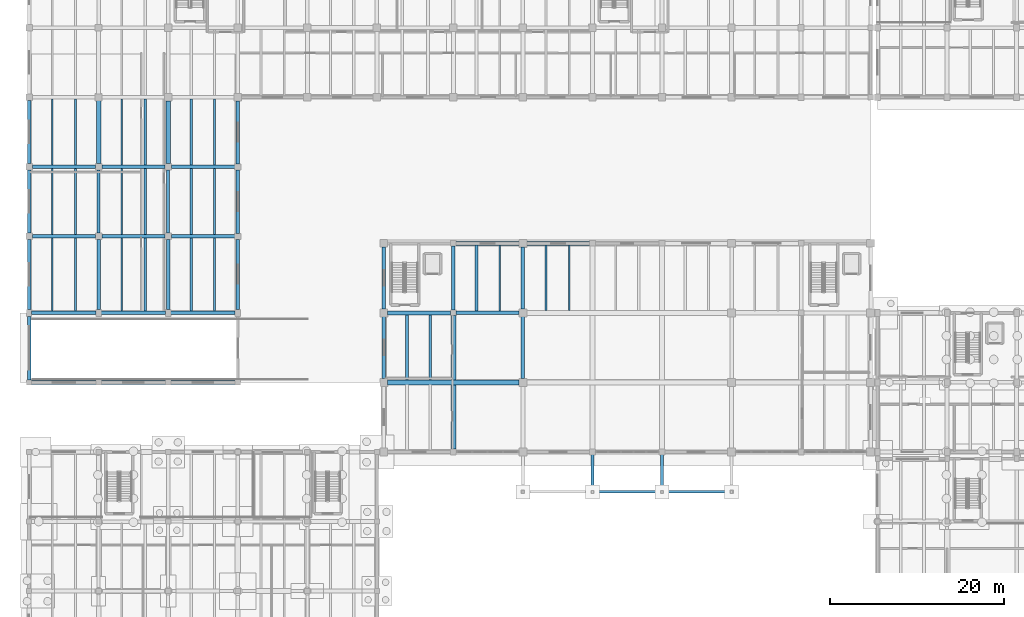
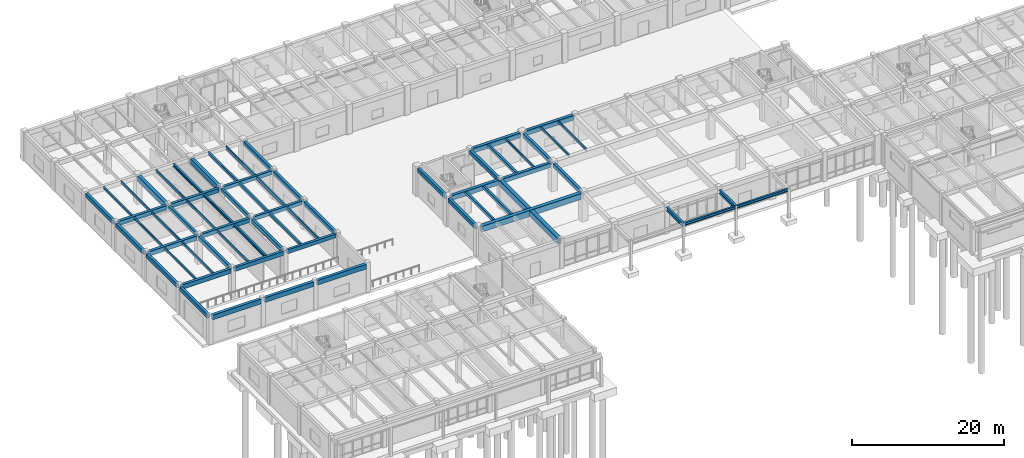
# One storey, part 18 of 64: 64 beams.
"""IFC4 building model written with IfcOpenShell, lengths in metres."""

from ifc_helpers import new_model, si_unit, direction, frame, origin, origin_2d, place, context, subcontext, project, spatial, rectangle, i_section, extrude, material, material_profile, profile_set, type_object, element, save


model = new_model("IFC4")

# Units and contexts
model_context = context("Model", 3, precision=1e-05, world=origin(), true_north=direction((0.0, 1.0)))
body_context = subcontext(model_context, "Body", "Model", "MODEL_VIEW")
ifc_project = project(units=[si_unit("LENGTHUNIT", "METRE"), si_unit("AREAUNIT", "SQUARE_METRE"), si_unit("VOLUMEUNIT", "CUBIC_METRE"), si_unit("PLANEANGLEUNIT", "RADIAN"), si_unit("MASSUNIT", "GRAM", prefix="KILO")], contexts=[model_context])

# Site, building, storey
site_placement = place(None, origin())
site = spatial("IfcSite", under=ifc_project, at=site_placement, CompositionType="ELEMENT")
building_placement = place(site_placement, origin())
building = spatial("IfcBuilding", under=site, at=building_placement, Name="Tlaxcora Railside Police Headquarters", CompositionType="ELEMENT")
storey_placement = place(building_placement, origin())
storey = spatial("IfcBuildingStorey", under=building, at=storey_placement, Name="L00", CompositionType="ELEMENT", Elevation=0.0)

# Beams
ifc_material_1 = material(Name="Steel ASTM A992 Grade 50", Category="steel")
ifc_material_profile_1 = material_profile(ifc_material_1, i_section(OverallWidth=0.280029296875, OverallDepth=0.4619140625, WebThickness=0.0107421875, FlangeThickness=0.017333984375, at=origin_2d()), Name="W18X76")
ifc_profile_set_1 = profile_set([ifc_material_profile_1], Name="Steel ASTM A992 Grade 50")
beam_type_1 = type_object("IfcBeamType", Name="Perimeter Spandrel Beam BM-33", PredefinedType="SPANDREL", material=ifc_profile_set_1)
for number, where, z_axis, x_axis, name in (
    (1, (70.14990234375, 31.39990234375, 4.10009765625), (1.0, 0.0, 0.0), (0.0, 1.0, 0.0), "Canopy edge girder X=70..78"),
    (2, (78.14990234375, 31.39990234375, 4.10009765625), (1.0, 0.0, 0.0), (0.0, 1.0, 0.0), "Canopy edge girder X=78..86"),
):
    element("IfcBeam", number, at=place(storey_placement, frame(where, z_axis=z_axis, x_axis=x_axis)), inside=storey, type_object=beam_type_1, Name=name, PredefinedType="SPANDREL", context=body_context, shape_type="SweptSolid", body=[
        extrude(i_section(OverallWidth=0.280029296875, OverallDepth=0.4619140625, WebThickness=0.0107421875, FlangeThickness=0.017333984375, at=origin_2d()), origin(), (0.0, 0.0, 1.0), 7.7001953125),
    ])
ifc_material_2 = material(Name="Concrete C40/50", Category="concrete")
ifc_material_profile_2 = material_profile(ifc_material_2, rectangle(XDim=0.39990234375, YDim=0.64990234375, at=origin_2d()), Name="RC400X650")
ifc_profile_set_2 = profile_set([ifc_material_profile_2], Name="Concrete C40/50")
beam_type_2 = type_object("IfcBeamType", Name="Perimeter Spandrel Beam BM-46", PredefinedType="SPANDREL", material=ifc_profile_set_2)
for number, where, z_axis, x_axis, name in (
    (3, (46.0, 44.43994140625, 4.205078125), (0.0, 1.0, 0.0), (-1.0, 0.0, 0.0), "V1 L00 Y-girder X=46.0"),
    (4, (46.0, 52.43994140625, 4.205078125), (0.0, 1.0, 0.0), (-1.0, 0.0, 0.0), "V1 L00 Y-girder X=46.0"),
):
    element("IfcBeam", number, at=place(storey_placement, frame(where, z_axis=z_axis, x_axis=x_axis)), inside=storey, type_object=beam_type_2, Name=name, PredefinedType="SPANDREL", context=body_context, shape_type="SweptSolid", body=[
        extrude(rectangle(XDim=0.39990234375, YDim=0.64990234375, at=origin_2d()), origin(), (0.0, 0.0, 1.0), 7.1201171875),
    ])
beam_1_placement = place(storey_placement, frame((5.199951171875, 44.2900390625, 4.205078125), z_axis=(0.0, 1.0, 0.0), x_axis=(-1.0, 0.0, 0.0)))
element("IfcBeam", 5, at=beam_1_placement, inside=storey, type_object=beam_type_2, Name="V5 L00 Y-girder X=5.2", PredefinedType="SPANDREL", context=body_context, shape_type="SweptSolid", body=[
    extrude(rectangle(XDim=0.39990234375, YDim=0.64990234375, at=origin_2d()), origin(), (0.0, 0.0, 1.0), 7.320068359375),
])
beam_2_placement = place(storey_placement, frame((5.199951171875, 52.389892578125, 4.205078125), z_axis=(0.0, 1.0, 0.0), x_axis=(-1.0, 0.0, 0.0)))
element("IfcBeam", 6, at=beam_2_placement, inside=storey, type_object=beam_type_2, Name="V5 L00 Y-girder X=5.2", PredefinedType="SPANDREL", context=body_context, shape_type="SweptSolid", body=[
    extrude(rectangle(XDim=0.39990234375, YDim=0.64990234375, at=origin_2d()), origin(), (0.0, 0.0, 1.0), 8.045166015625),
])
for number, where, z_axis, x_axis, name in (
    (7, (5.199951171875, 61.1650390625, 4.205078125), (0.0, 1.0, 0.0), (-1.0, 0.0, 0.0), "V5 L00 Y-girder X=5.2"),
    (8, (5.199951171875, 69.1650390625, 4.205078125), (0.0, 1.0, 0.0), (-1.0, 0.0, 0.0), "V5 L00 Y-girder X=5.2"),
):
    element("IfcBeam", number, at=place(storey_placement, frame(where, z_axis=z_axis, x_axis=x_axis)), inside=storey, type_object=beam_type_2, Name=name, PredefinedType="SPANDREL", context=body_context, shape_type="SweptSolid", body=[
        extrude(rectangle(XDim=0.39990234375, YDim=0.64990234375, at=origin_2d()), origin(), (0.0, 0.0, 1.0), 7.27001953125),
    ])
beam_3_placement = place(storey_placement, frame((29.199951171875, 52.389892578125, 4.205078125), z_axis=(0.0, 1.0, 0.0), x_axis=(-1.0, 0.0, 0.0)))
element("IfcBeam", 9, at=beam_3_placement, inside=storey, type_object=beam_type_2, Name="V5 L00 Y-girder X=29.2", PredefinedType="SPANDREL", context=body_context, shape_type="SweptSolid", body=[
    extrude(rectangle(XDim=0.39990234375, YDim=0.64990234375, at=origin_2d()), origin(), (0.0, 0.0, 1.0), 8.070068359375),
])
beam_4_placement = place(storey_placement, frame((29.199951171875, 61.139892578125, 4.205078125), z_axis=(0.0, 1.0, 0.0), x_axis=(-1.0, 0.0, 0.0)))
element("IfcBeam", 10, at=beam_4_placement, inside=storey, type_object=beam_type_2, Name="V5 L00 Y-girder X=29.2", PredefinedType="SPANDREL", context=body_context, shape_type="SweptSolid", body=[
    extrude(rectangle(XDim=0.39990234375, YDim=0.64990234375, at=origin_2d()), origin(), (0.0, 0.0, 1.0), 7.320068359375),
])
beam_5_placement = place(storey_placement, frame((29.199951171875, 69.139892578125, 4.205078125), z_axis=(0.0, 1.0, 0.0), x_axis=(-1.0, 0.0, 0.0)))
element("IfcBeam", 11, at=beam_5_placement, inside=storey, type_object=beam_type_2, Name="V5 L00 Y-girder X=29.2", PredefinedType="SPANDREL", context=body_context, shape_type="SweptSolid", body=[
    extrude(rectangle(XDim=0.39990234375, YDim=0.64990234375, at=origin_2d()), origin(), (0.0, 0.0, 1.0), 7.2451171875),
])
ifc_material_profile_3 = material_profile(ifc_material_2, rectangle(XDim=0.449951171875, YDim=0.75, at=origin_2d()), Name="RC450X750")
ifc_profile_set_3 = profile_set([ifc_material_profile_3], Name="Concrete C40/50")
beam_type_3 = type_object("IfcBeamType", Name="Perimeter Spandrel Beam BM-86", PredefinedType="SPANDREL", material=ifc_profile_set_3)
for number, where, z_axis, x_axis, name in (
    (12, (54.31494140625, 60.0, 4.155029296875), (1.0, 0.0, 0.0), (0.0, 1.0, 0.0), "V1 L00 X-girder Y=60.0"),
    (13, (62.43994140625, 60.0, 4.155029296875), (1.0, 0.0, 0.0), (0.0, 1.0, 0.0), "V1 L00 X-girder Y=60.0"),
):
    element("IfcBeam", number, at=place(storey_placement, frame(where, z_axis=z_axis, x_axis=x_axis)), inside=storey, type_object=beam_type_3, Name=name, PredefinedType="SPANDREL", context=body_context, shape_type="SweptSolid", body=[
        extrude(rectangle(XDim=0.449951171875, YDim=0.75, at=origin_2d()), origin(), (0.0, 0.0, 1.0), 7.2451171875),
    ])
for number, where, z_axis, x_axis, name in (
    (14, (5.489990234375, 44.0, 4.155029296875), (1.0, 0.0, 0.0), (0.0, 1.0, 0.0), "V5 L00 X-girder Y=44.0"),
    (15, (13.489990234375, 44.0, 4.155029296875), (1.0, 0.0, 0.0), (0.0, 1.0, 0.0), "V5 L00 X-girder Y=44.0"),
    (16, (21.489990234375, 44.0, 4.155029296875), (1.0, 0.0, 0.0), (0.0, 1.0, 0.0), "V5 L00 X-girder Y=44.0"),
):
    element("IfcBeam", number, at=place(storey_placement, frame(where, z_axis=z_axis, x_axis=x_axis)), inside=storey, type_object=beam_type_3, Name=name, PredefinedType="SPANDREL", context=body_context, shape_type="SweptSolid", body=[
        extrude(rectangle(XDim=0.449951171875, YDim=0.75, at=origin_2d()), origin(), (0.0, 0.0, 1.0), 7.419921875),
    ])
ifc_material_profile_4 = material_profile(ifc_material_2, rectangle(XDim=0.3798828125, YDim=0.60009765625, at=origin_2d()), Name="RC380X600")
ifc_profile_set_4 = profile_set([ifc_material_profile_4], Name="Concrete C40/50")
beam_type_4 = type_object("IfcBeamType", Name="Primary Frame Girder BM-22", PredefinedType="BEAM", material=ifc_profile_set_4)
beam_6_placement = place(storey_placement, frame((21.489990234375, 52.0, 4.22998046875), z_axis=(1.0, 0.0, 0.0), x_axis=(0.0, 1.0, 0.0)))
element("IfcBeam", 17, at=beam_6_placement, inside=storey, type_object=beam_type_4, Name="V5 L00 X-girder Y=52.0", PredefinedType="BEAM", context=body_context, shape_type="SweptSolid", body=[
    extrude(rectangle(XDim=0.3798828125, YDim=0.60009765625, at=origin_2d()), origin(), (0.0, 0.0, 1.0), 7.419921875),
])
for number, where, z_axis, x_axis, name in (
    (18, (21.56494140625, 60.800048828125, 4.22998046875), (1.0, 0.0, 0.0), (0.0, 1.0, 0.0), "V5 L00 X-girder Y=60.8"),
    (19, (21.56494140625, 68.800048828125, 4.22998046875), (1.0, 0.0, 0.0), (0.0, 1.0, 0.0), "V5 L00 X-girder Y=68.8"),
):
    element("IfcBeam", number, at=place(storey_placement, frame(where, z_axis=z_axis, x_axis=x_axis)), inside=storey, type_object=beam_type_4, Name=name, PredefinedType="BEAM", context=body_context, shape_type="SweptSolid", body=[
        extrude(rectangle(XDim=0.3798828125, YDim=0.60009765625, at=origin_2d()), origin(), (0.0, 0.0, 1.0), 7.295166015625),
    ])
ifc_material_profile_5 = material_profile(ifc_material_2, rectangle(XDim=0.419921875, YDim=0.699951171875, at=origin_2d()), Name="RC420X700")
ifc_profile_set_5 = profile_set([ifc_material_profile_5], Name="Concrete C40/50")
beam_type_5 = type_object("IfcBeamType", Name="Primary Frame Girder BM-35", PredefinedType="BEAM", material=ifc_profile_set_5)
beam_7_placement = place(storey_placement, frame((54.31494140625, 52.0, 4.179931640625), z_axis=(1.0, 0.0, 0.0), x_axis=(0.0, 1.0, 0.0)))
element("IfcBeam", 20, at=beam_7_placement, inside=storey, type_object=beam_type_5, Name="V1 L00 X-girder Y=52.0", PredefinedType="BEAM", context=body_context, shape_type="SweptSolid", body=[
    extrude(rectangle(XDim=0.419921875, YDim=0.699951171875, at=origin_2d()), origin(), (0.0, 0.0, 1.0), 7.2451171875),
])
beam_8_placement = place(storey_placement, frame((5.489990234375, 52.0, 4.179931640625), z_axis=(1.0, 0.0, 0.0), x_axis=(0.0, 1.0, 0.0)))
element("IfcBeam", 21, at=beam_8_placement, inside=storey, type_object=beam_type_5, Name="V5 L00 X-girder Y=52.0", PredefinedType="BEAM", context=body_context, shape_type="SweptSolid", body=[
    extrude(rectangle(XDim=0.419921875, YDim=0.699951171875, at=origin_2d()), origin(), (0.0, 0.0, 1.0), 7.419921875),
])
for number, where, z_axis, x_axis, name in (
    (22, (5.56494140625, 60.800048828125, 4.179931640625), (1.0, 0.0, 0.0), (0.0, 1.0, 0.0), "V5 L00 X-girder Y=60.8"),
    (23, (5.56494140625, 68.800048828125, 4.179931640625), (1.0, 0.0, 0.0), (0.0, 1.0, 0.0), "V5 L00 X-girder Y=68.8"),
):
    element("IfcBeam", number, at=place(storey_placement, frame(where, z_axis=z_axis, x_axis=x_axis)), inside=storey, type_object=beam_type_5, Name=name, PredefinedType="BEAM", context=body_context, shape_type="SweptSolid", body=[
        extrude(rectangle(XDim=0.419921875, YDim=0.699951171875, at=origin_2d()), origin(), (0.0, 0.0, 1.0), 7.27001953125),
    ])
ifc_material_profile_6 = material_profile(ifc_material_2, rectangle(XDim=0.35009765625, YDim=0.550048828125, at=origin_2d()), Name="RC350X550")
ifc_profile_set_6 = profile_set([ifc_material_profile_6], Name="Concrete C40/50")
beam_type_6 = type_object("IfcBeamType", Name="Primary Frame Girder BM-39", PredefinedType="BEAM", material=ifc_profile_set_6)
for number, where, z_axis, x_axis, name in (
    (24, (13.199951171875, 61.1650390625, 4.2548828125), (0.0, 1.0, 0.0), (-1.0, 0.0, 0.0), "V5 L00 Y-girder X=13.2"),
    (25, (21.199951171875, 61.1650390625, 4.2548828125), (0.0, 1.0, 0.0), (-1.0, 0.0, 0.0), "V5 L00 Y-girder X=21.2"),
):
    element("IfcBeam", number, at=place(storey_placement, frame(where, z_axis=z_axis, x_axis=x_axis)), inside=storey, type_object=beam_type_6, Name=name, PredefinedType="BEAM", context=body_context, shape_type="SweptSolid", body=[
        extrude(rectangle(XDim=0.35009765625, YDim=0.550048828125, at=origin_2d()), origin(), (0.0, 0.0, 1.0), 7.27001953125),
    ])
ifc_material_profile_7 = material_profile(ifc_material_2, rectangle(XDim=0.39990234375, YDim=0.64990234375, at=origin_2d()), Name="RC400X650")
ifc_profile_set_7 = profile_set([ifc_material_profile_7], Name="Concrete C40/50")
beam_type_7 = type_object("IfcBeamType", Name="Primary Frame Girder BM-41", PredefinedType="BEAM", material=ifc_profile_set_7)
beam_9_placement = place(storey_placement, frame((54.0, 52.31494140625, 4.205078125), z_axis=(0.0, 1.0, 0.0), x_axis=(-1.0, 0.0, 0.0)))
element("IfcBeam", 26, at=beam_9_placement, inside=storey, type_object=beam_type_7, Name="V1 L00 Y-girder X=54.0", PredefinedType="BEAM", context=body_context, shape_type="SweptSolid", body=[
    extrude(rectangle(XDim=0.39990234375, YDim=0.64990234375, at=origin_2d()), origin(), (0.0, 0.0, 1.0), 7.3701171875),
])
for number, where, z_axis, x_axis, name in (
    (27, (62.0, 44.43994140625, 4.205078125), (0.0, 1.0, 0.0), (-1.0, 0.0, 0.0), "V1 L00 Y-girder X=62.0"),
    (28, (62.0, 52.43994140625, 4.205078125), (0.0, 1.0, 0.0), (-1.0, 0.0, 0.0), "V1 L00 Y-girder X=62.0"),
):
    element("IfcBeam", number, at=place(storey_placement, frame(where, z_axis=z_axis, x_axis=x_axis)), inside=storey, type_object=beam_type_7, Name=name, PredefinedType="BEAM", context=body_context, shape_type="SweptSolid", body=[
        extrude(rectangle(XDim=0.39990234375, YDim=0.64990234375, at=origin_2d()), origin(), (0.0, 0.0, 1.0), 7.1201171875),
    ])
beam_10_placement = place(storey_placement, frame((13.489990234375, 52.0, 4.205078125), z_axis=(1.0, 0.0, 0.0), x_axis=(0.0, 1.0, 0.0)))
element("IfcBeam", 29, at=beam_10_placement, inside=storey, type_object=beam_type_7, Name="V5 L00 X-girder Y=52.0", PredefinedType="BEAM", context=body_context, shape_type="SweptSolid", body=[
    extrude(rectangle(XDim=0.39990234375, YDim=0.64990234375, at=origin_2d()), origin(), (0.0, 0.0, 1.0), 7.419921875),
])
for number, where, z_axis, x_axis, name in (
    (30, (13.56494140625, 60.800048828125, 4.205078125), (1.0, 0.0, 0.0), (0.0, 1.0, 0.0), "V5 L00 X-girder Y=60.8"),
    (31, (13.56494140625, 68.800048828125, 4.205078125), (1.0, 0.0, 0.0), (0.0, 1.0, 0.0), "V5 L00 X-girder Y=68.8"),
):
    element("IfcBeam", number, at=place(storey_placement, frame(where, z_axis=z_axis, x_axis=x_axis)), inside=storey, type_object=beam_type_7, Name=name, PredefinedType="BEAM", context=body_context, shape_type="SweptSolid", body=[
        extrude(rectangle(XDim=0.39990234375, YDim=0.64990234375, at=origin_2d()), origin(), (0.0, 0.0, 1.0), 7.27001953125),
    ])
for number, where, z_axis, x_axis, name in (
    (32, (13.199951171875, 52.389892578125, 4.205078125), (0.0, 1.0, 0.0), (-1.0, 0.0, 0.0), "V5 L00 Y-girder X=13.2"),
    (33, (21.199951171875, 52.389892578125, 4.205078125), (0.0, 1.0, 0.0), (-1.0, 0.0, 0.0), "V5 L00 Y-girder X=21.2"),
):
    element("IfcBeam", number, at=place(storey_placement, frame(where, z_axis=z_axis, x_axis=x_axis)), inside=storey, type_object=beam_type_7, Name=name, PredefinedType="BEAM", context=body_context, shape_type="SweptSolid", body=[
        extrude(rectangle(XDim=0.39990234375, YDim=0.64990234375, at=origin_2d()), origin(), (0.0, 0.0, 1.0), 8.045166015625),
    ])
ifc_material_profile_8 = material_profile(ifc_material_2, rectangle(XDim=0.550048828125, YDim=0.949951171875, at=origin_2d()), Name="RC550X950")
ifc_profile_set_8 = profile_set([ifc_material_profile_8], Name="Concrete C40/50")
beam_type_8 = type_object("IfcBeamType", Name="Primary Frame Girder BM-43", PredefinedType="BEAM", material=ifc_profile_set_8)
beam_11_placement = place(storey_placement, frame((46.43994140625, 44.0, 4.054931640625), z_axis=(1.0, 0.0, 0.0), x_axis=(0.0, 1.0, 0.0)))
element("IfcBeam", 34, at=beam_11_placement, inside=storey, type_object=beam_type_8, Name="V1 L00 X-girder Y=44.0", PredefinedType="BEAM", context=body_context, shape_type="SweptSolid", body=[
    extrude(rectangle(XDim=0.550048828125, YDim=0.949951171875, at=origin_2d()), origin(), (0.0, 0.0, 1.0), 15.1201171875),
])
beam_12_placement = place(storey_placement, frame((54.0, 36.31494140625, 4.054931640625), z_axis=(0.0, 1.0, 0.0), x_axis=(-1.0, 0.0, 0.0)))
element("IfcBeam", 35, at=beam_12_placement, inside=storey, type_object=beam_type_8, Name="V1 L00 Y-girder X=54.0", PredefinedType="BEAM", context=body_context, shape_type="SweptSolid", body=[
    extrude(rectangle(XDim=0.550048828125, YDim=0.949951171875, at=origin_2d()), origin(), (0.0, 0.0, 1.0), 15.3701171875),
])
ifc_material_profile_9 = material_profile(ifc_material_2, rectangle(XDim=0.5, YDim=0.85009765625, at=origin_2d()), Name="RC500X850")
ifc_profile_set_9 = profile_set([ifc_material_profile_9], Name="Concrete C40/50")
beam_type_9 = type_object("IfcBeamType", Name="Primary Frame Girder BM-64", PredefinedType="BEAM", material=ifc_profile_set_9)
beam_13_placement = place(storey_placement, frame((13.199951171875, 69.1650390625, 4.10498046875), z_axis=(0.0, 1.0, 0.0), x_axis=(-1.0, 0.0, 0.0)))
element("IfcBeam", 36, at=beam_13_placement, inside=storey, type_object=beam_type_9, Name="V5 L00 Y-girder X=13.2", PredefinedType="BEAM", context=body_context, shape_type="SweptSolid", body=[
    extrude(rectangle(XDim=0.5, YDim=0.85009765625, at=origin_2d()), origin(), (0.0, 0.0, 1.0), 7.244873046875),
])
beam_14_placement = place(storey_placement, frame((21.199951171875, 69.1650390625, 4.10498046875), z_axis=(0.0, 1.0, 0.0), x_axis=(-1.0, 0.0, 0.0)))
element("IfcBeam", 37, at=beam_14_placement, inside=storey, type_object=beam_type_9, Name="V5 L00 Y-girder X=21.2", PredefinedType="BEAM", context=body_context, shape_type="SweptSolid", body=[
    extrude(rectangle(XDim=0.5, YDim=0.85009765625, at=origin_2d()), origin(), (0.0, 0.0, 1.0), 7.219970703125),
])
ifc_material_profile_10 = material_profile(ifc_material_1, i_section(OverallWidth=0.324951171875, OverallDepth=0.616943359375, WebThickness=0.013916015625, FlangeThickness=0.021484375, at=origin_2d()), Name="W24X117")
ifc_profile_set_10 = profile_set([ifc_material_profile_10], Name="Steel ASTM A992 Grade 50")
beam_type_10 = type_object("IfcBeamType", Name="Primary Frame Girder BM-72", PredefinedType="BEAM", material=ifc_profile_set_10)
for number, where, z_axis, x_axis, name in (
    (38, (70.0, 31.39990234375, 4.02001953125), (0.0, 1.0, 0.0), (-1.0, 0.0, 0.0), "Canopy outrigger girder X=70"),
    (39, (78.0, 31.39990234375, 4.02001953125), (0.0, 1.0, 0.0), (-1.0, 0.0, 0.0), "Canopy outrigger girder X=78"),
):
    element("IfcBeam", number, at=place(storey_placement, frame(where, z_axis=z_axis, x_axis=x_axis)), inside=storey, type_object=beam_type_10, Name=name, PredefinedType="BEAM", context=body_context, shape_type="SweptSolid", body=[
        extrude(i_section(OverallWidth=0.324951171875, OverallDepth=0.616943359375, WebThickness=0.013916015625, FlangeThickness=0.021484375, at=origin_2d()), origin(), (0.0, 0.0, 1.0), 4.300048828125),
    ])
ifc_material_profile_11 = material_profile(ifc_material_2, rectangle(XDim=0.449951171875, YDim=0.75, at=origin_2d()), Name="RC450X750")
ifc_profile_set_11 = profile_set([ifc_material_profile_11], Name="Concrete C40/50")
beam_type_11 = type_object("IfcBeamType", Name="Primary Frame Girder BM-73", PredefinedType="BEAM", material=ifc_profile_set_11)
beam_15_placement = place(storey_placement, frame((46.43994140625, 52.0, 4.155029296875), z_axis=(1.0, 0.0, 0.0), x_axis=(0.0, 1.0, 0.0)))
element("IfcBeam", 40, at=beam_15_placement, inside=storey, type_object=beam_type_11, Name="V1 L00 X-girder Y=52.0", PredefinedType="BEAM", context=body_context, shape_type="SweptSolid", body=[
    extrude(rectangle(XDim=0.449951171875, YDim=0.75, at=origin_2d()), origin(), (0.0, 0.0, 1.0), 7.2451171875),
])
ifc_material_3 = material(Name="Concrete C35/45", Category="concrete")
ifc_material_profile_12 = material_profile(ifc_material_3, rectangle(XDim=0.300048828125, YDim=0.449951171875, at=origin_2d()), Name="RC300X450")
ifc_profile_set_12 = profile_set([ifc_material_profile_12], Name="Concrete C35/45")
beam_type_12 = type_object("IfcBeamType", Name="Secondary Floor Joist BM-27", PredefinedType="JOIST", material=ifc_profile_set_12)
beam_16_placement = place(storey_placement, frame((48.666748046875, 44.26708984375, 4.304931640625), z_axis=(0.0, 1.0, 0.0), x_axis=(-1.0, 0.0, 0.0)))
element("IfcBeam", 41, at=beam_16_placement, inside=storey, type_object=beam_type_12, Name="V1 L00 floor joist X=48.67", PredefinedType="JOIST", context=body_context, shape_type="SweptSolid", body=[
    extrude(rectangle(XDim=0.300048828125, YDim=0.449951171875, at=origin_2d()), origin(), (0.0, 0.0, 1.0), 7.515869140625),
])
ifc_material_profile_13 = material_profile(ifc_material_1, i_section(OverallWidth=0.280029296875, OverallDepth=0.4619140625, WebThickness=0.0107421875, FlangeThickness=0.017333984375, at=origin_2d()), Name="W18X76")
ifc_profile_set_13 = profile_set([ifc_material_profile_13], Name="Steel ASTM A992 Grade 50")
beam_type_13 = type_object("IfcBeamType", Name="Secondary Floor Joist BM-44", PredefinedType="JOIST", material=ifc_profile_set_13)
beam_17_placement = place(storey_placement, frame((18.533203125, 52.19189453125, 4.299072265625), z_axis=(0.0, 1.0, 0.0), x_axis=(-1.0, 0.0, 0.0)))
element("IfcBeam", 42, at=beam_17_placement, inside=storey, type_object=beam_type_13, Name="V5 L00 floor joist X=18.53", PredefinedType="JOIST", context=body_context, shape_type="SweptSolid", body=[
    extrude(i_section(OverallWidth=0.280029296875, OverallDepth=0.4619140625, WebThickness=0.0107421875, FlangeThickness=0.017333984375, at=origin_2d()), origin(), (0.0, 0.0, 1.0), 8.416015625),
])
beam_18_placement = place(storey_placement, frame((23.86669921875, 52.181884765625, 4.299072265625), z_axis=(0.0, 1.0, 0.0), x_axis=(-1.0, 0.0, 0.0)))
element("IfcBeam", 43, at=beam_18_placement, inside=storey, type_object=beam_type_13, Name="V5 L00 floor joist X=23.87", PredefinedType="JOIST", context=body_context, shape_type="SweptSolid", body=[
    extrude(i_section(OverallWidth=0.280029296875, OverallDepth=0.4619140625, WebThickness=0.0107421875, FlangeThickness=0.017333984375, at=origin_2d()), origin(), (0.0, 0.0, 1.0), 8.43603515625),
])
beam_19_placement = place(storey_placement, frame((18.533203125, 60.991943359375, 4.299072265625), z_axis=(0.0, 1.0, 0.0), x_axis=(-1.0, 0.0, 0.0)))
element("IfcBeam", 44, at=beam_19_placement, inside=storey, type_object=beam_type_13, Name="V5 L00 floor joist X=18.53", PredefinedType="JOIST", context=body_context, shape_type="SweptSolid", body=[
    extrude(i_section(OverallWidth=0.280029296875, OverallDepth=0.4619140625, WebThickness=0.0107421875, FlangeThickness=0.017333984375, at=origin_2d()), origin(), (0.0, 0.0, 1.0), 7.615966796875),
])
beam_20_placement = place(storey_placement, frame((23.86669921875, 60.98193359375, 4.299072265625), z_axis=(0.0, 1.0, 0.0), x_axis=(-1.0, 0.0, 0.0)))
element("IfcBeam", 45, at=beam_20_placement, inside=storey, type_object=beam_type_13, Name="V5 L00 floor joist X=23.87", PredefinedType="JOIST", context=body_context, shape_type="SweptSolid", body=[
    extrude(i_section(OverallWidth=0.280029296875, OverallDepth=0.4619140625, WebThickness=0.0107421875, FlangeThickness=0.017333984375, at=origin_2d()), origin(), (0.0, 0.0, 1.0), 7.635986328125),
])
beam_21_placement = place(storey_placement, frame((18.533203125, 68.991943359375, 4.299072265625), z_axis=(0.0, 1.0, 0.0), x_axis=(-1.0, 0.0, 0.0)))
element("IfcBeam", 46, at=beam_21_placement, inside=storey, type_object=beam_type_13, Name="V5 L00 floor joist X=18.53", PredefinedType="JOIST", context=body_context, shape_type="SweptSolid", body=[
    extrude(i_section(OverallWidth=0.280029296875, OverallDepth=0.4619140625, WebThickness=0.0107421875, FlangeThickness=0.017333984375, at=origin_2d()), origin(), (0.0, 0.0, 1.0), 7.615966796875),
])
beam_22_placement = place(storey_placement, frame((23.86669921875, 68.98193359375, 4.299072265625), z_axis=(0.0, 1.0, 0.0), x_axis=(-1.0, 0.0, 0.0)))
element("IfcBeam", 47, at=beam_22_placement, inside=storey, type_object=beam_type_13, Name="V5 L00 floor joist X=23.87", PredefinedType="JOIST", context=body_context, shape_type="SweptSolid", body=[
    extrude(i_section(OverallWidth=0.280029296875, OverallDepth=0.4619140625, WebThickness=0.0107421875, FlangeThickness=0.017333984375, at=origin_2d()), origin(), (0.0, 0.0, 1.0), 7.635986328125),
])
ifc_material_profile_14 = material_profile(ifc_material_1, i_section(OverallWidth=0.2041015625, OverallDepth=0.35009765625, WebThickness=0.008544921875, FlangeThickness=0.01513671875, at=origin_2d()), Name="W14X48")
ifc_profile_set_14 = profile_set([ifc_material_profile_14], Name="Steel ASTM A992 Grade 50")
beam_type_14 = type_object("IfcBeamType", Name="Secondary Floor Joist BM-65", PredefinedType="JOIST", material=ifc_profile_set_14)
beam_23_placement = place(storey_placement, frame((59.333251953125, 52.201904296875, 4.35498046875), z_axis=(0.0, 1.0, 0.0), x_axis=(-1.0, 0.0, 0.0)))
element("IfcBeam", 48, at=beam_23_placement, inside=storey, type_object=beam_type_14, Name="V1 L00 floor joist X=59.33", PredefinedType="JOIST", context=body_context, shape_type="SweptSolid", body=[
    extrude(i_section(OverallWidth=0.2041015625, OverallDepth=0.35009765625, WebThickness=0.008544921875, FlangeThickness=0.01513671875, at=origin_2d()), origin(), (0.0, 0.0, 1.0), 7.5810546875),
])
beam_24_placement = place(storey_placement, frame((64.666748046875, 52.2919921875, 4.35498046875), z_axis=(0.0, 1.0, 0.0), x_axis=(-1.0, 0.0, 0.0)))
element("IfcBeam", 49, at=beam_24_placement, inside=storey, type_object=beam_type_14, Name="V1 L00 floor joist X=64.67", PredefinedType="JOIST", context=body_context, shape_type="SweptSolid", body=[
    extrude(i_section(OverallWidth=0.2041015625, OverallDepth=0.35009765625, WebThickness=0.008544921875, FlangeThickness=0.01513671875, at=origin_2d()), origin(), (0.0, 0.0, 1.0), 7.490966796875),
])
beam_25_placement = place(storey_placement, frame((7.86669921875, 52.201904296875, 4.35498046875), z_axis=(0.0, 1.0, 0.0), x_axis=(-1.0, 0.0, 0.0)))
element("IfcBeam", 50, at=beam_25_placement, inside=storey, type_object=beam_type_14, Name="V5 L00 floor joist X=7.87", PredefinedType="JOIST", context=body_context, shape_type="SweptSolid", body=[
    extrude(i_section(OverallWidth=0.2041015625, OverallDepth=0.35009765625, WebThickness=0.008544921875, FlangeThickness=0.01513671875, at=origin_2d()), origin(), (0.0, 0.0, 1.0), 8.39599609375),
])
for number, where, z_axis, x_axis, name in (
    (51, (7.86669921875, 61.001953125, 4.35498046875), (0.0, 1.0, 0.0), (-1.0, 0.0, 0.0), "V5 L00 floor joist X=7.87"),
    (52, (7.86669921875, 69.001953125, 4.35498046875), (0.0, 1.0, 0.0), (-1.0, 0.0, 0.0), "V5 L00 floor joist X=7.87"),
):
    element("IfcBeam", number, at=place(storey_placement, frame(where, z_axis=z_axis, x_axis=x_axis)), inside=storey, type_object=beam_type_14, Name=name, PredefinedType="JOIST", context=body_context, shape_type="SweptSolid", body=[
        extrude(i_section(OverallWidth=0.2041015625, OverallDepth=0.35009765625, WebThickness=0.008544921875, FlangeThickness=0.01513671875, at=origin_2d()), origin(), (0.0, 0.0, 1.0), 7.595947265625),
    ])
ifc_material_profile_15 = material_profile(ifc_material_1, i_section(OverallWidth=0.180908203125, OverallDepth=0.4169921875, WebThickness=0.010009765625, FlangeThickness=0.018310546875, at=origin_2d()), Name="W16X57")
ifc_profile_set_15 = profile_set([ifc_material_profile_15], Name="Steel ASTM A992 Grade 50")
beam_type_15 = type_object("IfcBeamType", Name="Secondary Floor Joist BM-84", PredefinedType="JOIST", material=ifc_profile_set_15)
beam_26_placement = place(storey_placement, frame((67.333251953125, 52.2919921875, 4.321533203125), z_axis=(0.0, 1.0, 0.0), x_axis=(-1.0, 0.0, 0.0)))
element("IfcBeam", 53, at=beam_26_placement, inside=storey, type_object=beam_type_15, Name="V1 L00 floor joist X=67.33", PredefinedType="JOIST", context=body_context, shape_type="SweptSolid", body=[
    extrude(i_section(OverallWidth=0.180908203125, OverallDepth=0.4169921875, WebThickness=0.010009765625, FlangeThickness=0.018310546875, at=origin_2d()), origin(), (0.0, 0.0, 1.0), 7.490966796875),
])
beam_27_placement = place(storey_placement, frame((10.533203125, 52.201904296875, 4.321533203125), z_axis=(0.0, 1.0, 0.0), x_axis=(-1.0, 0.0, 0.0)))
element("IfcBeam", 54, at=beam_27_placement, inside=storey, type_object=beam_type_15, Name="V5 L00 floor joist X=10.53", PredefinedType="JOIST", context=body_context, shape_type="SweptSolid", body=[
    extrude(i_section(OverallWidth=0.180908203125, OverallDepth=0.4169921875, WebThickness=0.010009765625, FlangeThickness=0.018310546875, at=origin_2d()), origin(), (0.0, 0.0, 1.0), 8.39599609375),
])
beam_28_placement = place(storey_placement, frame((15.86669921875, 52.19189453125, 4.321533203125), z_axis=(0.0, 1.0, 0.0), x_axis=(-1.0, 0.0, 0.0)))
element("IfcBeam", 55, at=beam_28_placement, inside=storey, type_object=beam_type_15, Name="V5 L00 floor joist X=15.87", PredefinedType="JOIST", context=body_context, shape_type="SweptSolid", body=[
    extrude(i_section(OverallWidth=0.180908203125, OverallDepth=0.4169921875, WebThickness=0.010009765625, FlangeThickness=0.018310546875, at=origin_2d()), origin(), (0.0, 0.0, 1.0), 8.416015625),
])
beam_29_placement = place(storey_placement, frame((10.533203125, 61.001953125, 4.321533203125), z_axis=(0.0, 1.0, 0.0), x_axis=(-1.0, 0.0, 0.0)))
element("IfcBeam", 56, at=beam_29_placement, inside=storey, type_object=beam_type_15, Name="V5 L00 floor joist X=10.53", PredefinedType="JOIST", context=body_context, shape_type="SweptSolid", body=[
    extrude(i_section(OverallWidth=0.180908203125, OverallDepth=0.4169921875, WebThickness=0.010009765625, FlangeThickness=0.018310546875, at=origin_2d()), origin(), (0.0, 0.0, 1.0), 7.595947265625),
])
beam_30_placement = place(storey_placement, frame((15.86669921875, 60.991943359375, 4.321533203125), z_axis=(0.0, 1.0, 0.0), x_axis=(-1.0, 0.0, 0.0)))
element("IfcBeam", 57, at=beam_30_placement, inside=storey, type_object=beam_type_15, Name="V5 L00 floor joist X=15.87", PredefinedType="JOIST", context=body_context, shape_type="SweptSolid", body=[
    extrude(i_section(OverallWidth=0.180908203125, OverallDepth=0.4169921875, WebThickness=0.010009765625, FlangeThickness=0.018310546875, at=origin_2d()), origin(), (0.0, 0.0, 1.0), 7.615966796875),
])
beam_31_placement = place(storey_placement, frame((10.533203125, 69.001953125, 4.321533203125), z_axis=(0.0, 1.0, 0.0), x_axis=(-1.0, 0.0, 0.0)))
element("IfcBeam", 58, at=beam_31_placement, inside=storey, type_object=beam_type_15, Name="V5 L00 floor joist X=10.53", PredefinedType="JOIST", context=body_context, shape_type="SweptSolid", body=[
    extrude(i_section(OverallWidth=0.180908203125, OverallDepth=0.4169921875, WebThickness=0.010009765625, FlangeThickness=0.018310546875, at=origin_2d()), origin(), (0.0, 0.0, 1.0), 7.595947265625),
])
beam_32_placement = place(storey_placement, frame((15.86669921875, 68.991943359375, 4.321533203125), z_axis=(0.0, 1.0, 0.0), x_axis=(-1.0, 0.0, 0.0)))
element("IfcBeam", 59, at=beam_32_placement, inside=storey, type_object=beam_type_15, Name="V5 L00 floor joist X=15.87", PredefinedType="JOIST", context=body_context, shape_type="SweptSolid", body=[
    extrude(i_section(OverallWidth=0.180908203125, OverallDepth=0.4169921875, WebThickness=0.010009765625, FlangeThickness=0.018310546875, at=origin_2d()), origin(), (0.0, 0.0, 1.0), 7.615966796875),
])
ifc_material_profile_16 = material_profile(ifc_material_3, rectangle(XDim=0.320068359375, YDim=0.5, at=origin_2d()), Name="RC320X500")
ifc_profile_set_16 = profile_set([ifc_material_profile_16], Name="Concrete C35/45")
beam_type_16 = type_object("IfcBeamType", Name="Secondary Floor Joist BM-88", PredefinedType="JOIST", material=ifc_profile_set_16)
beam_33_placement = place(storey_placement, frame((51.333251953125, 44.26708984375, 4.280029296875), z_axis=(0.0, 1.0, 0.0), x_axis=(-1.0, 0.0, 0.0)))
element("IfcBeam", 60, at=beam_33_placement, inside=storey, type_object=beam_type_16, Name="V1 L00 floor joist X=51.33", PredefinedType="JOIST", context=body_context, shape_type="SweptSolid", body=[
    extrude(rectangle(XDim=0.320068359375, YDim=0.5, at=origin_2d()), origin(), (0.0, 0.0, 1.0), 7.515869140625),
])
beam_34_placement = place(storey_placement, frame((56.666748046875, 52.201904296875, 4.280029296875), z_axis=(0.0, 1.0, 0.0), x_axis=(-1.0, 0.0, 0.0)))
element("IfcBeam", 61, at=beam_34_placement, inside=storey, type_object=beam_type_16, Name="V1 L00 floor joist X=56.67", PredefinedType="JOIST", context=body_context, shape_type="SweptSolid", body=[
    extrude(rectangle(XDim=0.320068359375, YDim=0.5, at=origin_2d()), origin(), (0.0, 0.0, 1.0), 7.5810546875),
])
ifc_material_profile_17 = material_profile(ifc_material_1, i_section(OverallWidth=0.214111328125, OverallDepth=0.549072265625, WebThickness=0.0146484375, FlangeThickness=0.023681640625, at=origin_2d()), Name="W21X93")
ifc_profile_set_17 = profile_set([ifc_material_profile_17], Name="Steel ASTM A992 Grade 50")
beam_type_17 = type_object("IfcBeamType", Name="Secondary Floor Joist BM-97", PredefinedType="JOIST", material=ifc_profile_set_17)
beam_35_placement = place(storey_placement, frame((26.533203125, 52.181884765625, 4.255615234375), z_axis=(0.0, 1.0, 0.0), x_axis=(-1.0, 0.0, 0.0)))
element("IfcBeam", 62, at=beam_35_placement, inside=storey, type_object=beam_type_17, Name="V5 L00 floor joist X=26.53", PredefinedType="JOIST", context=body_context, shape_type="SweptSolid", body=[
    extrude(i_section(OverallWidth=0.214111328125, OverallDepth=0.549072265625, WebThickness=0.0146484375, FlangeThickness=0.023681640625, at=origin_2d()), origin(), (0.0, 0.0, 1.0), 8.43603515625),
])
for number, where, z_axis, x_axis, name in (
    (63, (26.533203125, 60.98193359375, 4.255615234375), (0.0, 1.0, 0.0), (-1.0, 0.0, 0.0), "V5 L00 floor joist X=26.53"),
    (64, (26.533203125, 68.98193359375, 4.255615234375), (0.0, 1.0, 0.0), (-1.0, 0.0, 0.0), "V5 L00 floor joist X=26.53"),
):
    element("IfcBeam", number, at=place(storey_placement, frame(where, z_axis=z_axis, x_axis=x_axis)), inside=storey, type_object=beam_type_17, Name=name, PredefinedType="JOIST", context=body_context, shape_type="SweptSolid", body=[
        extrude(i_section(OverallWidth=0.214111328125, OverallDepth=0.549072265625, WebThickness=0.0146484375, FlangeThickness=0.023681640625, at=origin_2d()), origin(), (0.0, 0.0, 1.0), 7.635986328125),
    ])

save(model, "model.ifc")
